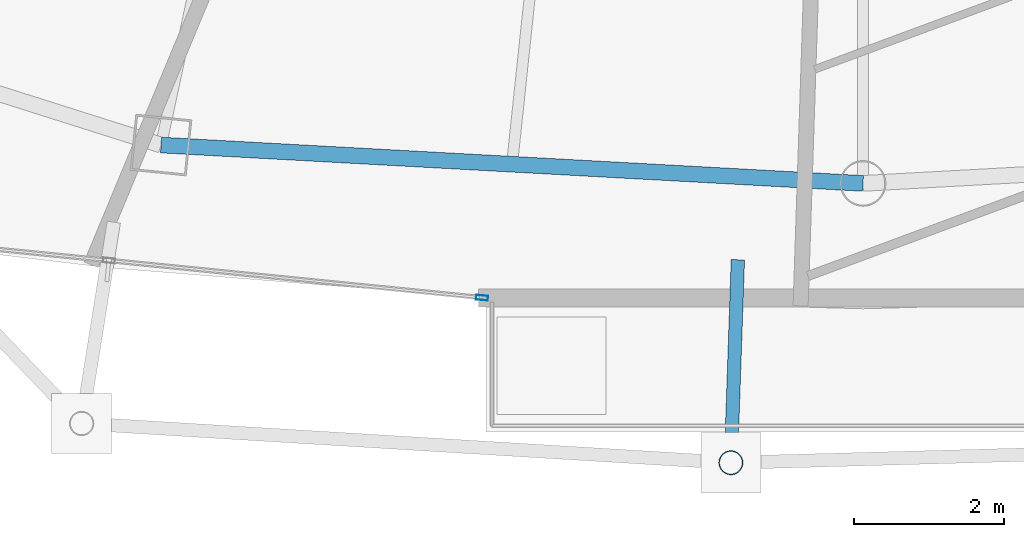
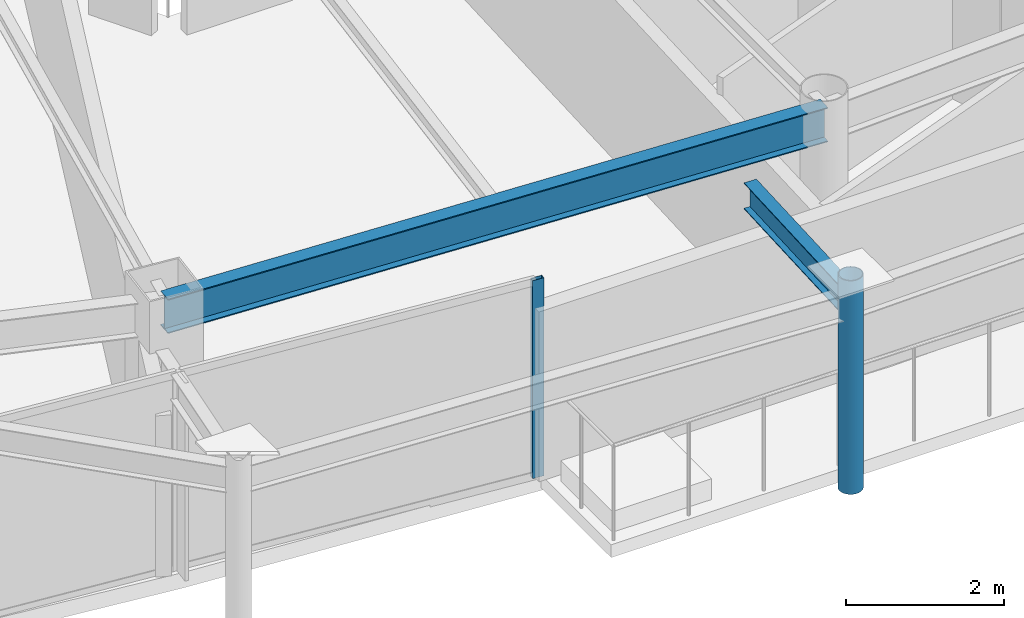
# One storey, part 7 of 29: 2 beams, 2 members, 1 element without a shape of its own.
"""IFC4 building model written with IfcOpenShell, lengths in metres."""

from ifc_helpers import new_model, si_unit, direction, frame, origin, origin_2d, place, context, subcontext, project, spatial, hollow_rectangle, hollow_circle, i_section, extrude, material, layer, layer_set, material_profile, profile_set, type_object, element, aggregate, save


model = new_model("IFC4")

# Units and contexts
model_context = context("Model", 3, precision=1e-05, world=origin(), true_north=direction((0.0, 1.0)))
body_context = subcontext(model_context, "Body", "Model", "MODEL_VIEW")
ifc_project = project(units=[si_unit("LENGTHUNIT", "METRE"), si_unit("AREAUNIT", "SQUARE_METRE"), si_unit("VOLUMEUNIT", "CUBIC_METRE"), si_unit("PLANEANGLEUNIT", "RADIAN"), si_unit("MASSUNIT", "GRAM", prefix="KILO")], contexts=[model_context])

# Site, building, storey
site_placement = place(None, origin())
site = spatial("IfcSite", under=ifc_project, at=site_placement, CompositionType="ELEMENT")
building_placement = place(site_placement, origin())
building = spatial("IfcBuilding", under=site, at=building_placement, Name="Orvanel Arch Residences", CompositionType="ELEMENT")
storey_placement = place(building_placement, frame((0.0, 0.0, 246.949951171875)))
storey = spatial("IfcBuildingStorey", under=building, at=storey_placement, Name="L70", CompositionType="ELEMENT", Elevation=246.949951171875)

# Curtain wall, member
ifc_material_1 = material(Name="Bronze-anodised aluminium AA6063-T6", Category="aluminium")
ifc_layer = layer(ifc_material_1, 0.175048828125)
ifc_layer_set = layer_set([ifc_layer], Name="Bronze-anodised aluminium AA6063-T6")
curtain_wall_type = type_object("IfcCurtainWallType", Name="CW4-HI-SYS", PredefinedType="NOTDEFINED", material=ifc_layer_set)
curtain_wall_placement = place(storey_placement, origin())
curtain_wall = element("IfcCurtainWall", 1, at=curtain_wall_placement, inside=storey, type_object=curtain_wall_type, Name="L70 CW4-HI-SYS Unitised Curtain Wall", PredefinedType="NOTDEFINED")
ifc_material_profile_1 = material_profile(ifc_material_1, hollow_rectangle(XDim=0.06494140625, YDim=0.159912109375, WallThickness=0.00390625, at=origin_2d()), Name="ALU160x65x4")
ifc_profile_set_1 = profile_set([ifc_material_profile_1], Name="Bronze-anodised aluminium AA6063-T6")
member_type_1 = type_object("IfcMemberType", Name="MUL-160x65", PredefinedType="MULLION", material=ifc_profile_set_1)
member_1_placement = place(storey_placement, frame((27.92578125, 5.3212890625, 0.0), z_axis=(0.0, 0.0, 1.0), x_axis=(0.099356011792, 0.99505194986, 0.0)))
member_1 = element("IfcMember", 2, at=member_1_placement, type_object=member_type_1, Name="CW-S4 mullion 3", PredefinedType="MULLION", context=body_context, shape_type="SweptSolid", body=[
    extrude(hollow_rectangle(XDim=0.06494140625, YDim=0.159912109375, WallThickness=0.00390625, at=origin_2d()), origin(), (0.0, 0.0, 1.0), 3.06005859375),
])
aggregate(curtain_wall, [member_1])

# Beams
ifc_material_2 = material(Name="Structural steel AS/NZS 3679.1 Grade 300 (300 MPa)", Category="steel")
ifc_material_profile_2 = material_profile(ifc_material_2, i_section(OverallWidth=0.177978515625, OverallDepth=0.406005859375, WebThickness=0.0078125, FlangeThickness=0.0126953125, at=origin_2d()), Name="410UB59.7")
ifc_profile_set_2 = profile_set([ifc_material_profile_2], Name="Structural steel AS/NZS 3679.1 Grade 300 (300 MPa)")
beam_type_1 = type_object("IfcBeamType", Name="OB-410UB-EXT", PredefinedType="SPANDREL", material=ifc_profile_set_2)
beam_1_placement = place(storey_placement, frame((31.3330078125, 5.826904296875, 2.85693359375), z_axis=(-0.034381466923, -0.999408782597, 0.0), x_axis=(0.999408782597, -0.034381466923, 0.0)))
element("IfcBeam", 3, at=beam_1_placement, inside=storey, type_object=beam_type_1, Name="L70 Outer Frame Radial Tie Beam 06", PredefinedType="SPANDREL", context=body_context, shape_type="SweptSolid", body=[
    extrude(i_section(OverallWidth=0.177978515625, OverallDepth=0.406005859375, WebThickness=0.0078125, FlangeThickness=0.0126953125, at=origin_2d()), origin(), (0.0, 0.0, 1.0), 2.70556640625),
])
ifc_material_profile_3 = material_profile(ifc_material_2, i_section(OverallWidth=0.208984375, OverallDepth=0.532958984375, WebThickness=0.01025390625, FlangeThickness=0.015625, at=origin_2d()), Name="530UB92.4")
ifc_profile_set_3 = profile_set([ifc_material_profile_3], Name="Structural steel AS/NZS 3679.1 Grade 300 (300 MPa)")
beam_type_2 = type_object("IfcBeamType", Name="SP-530UB", PredefinedType="SPANDREL", material=ifc_profile_set_3)
beam_2_placement = place(storey_placement, frame((23.64892578125, 7.35498046875, 2.79296875), z_axis=(0.998510315598, -0.054563262768, 0.0), x_axis=(0.054563262768, 0.998510315598, 0.0)))
element("IfcBeam", 4, at=beam_2_placement, inside=storey, type_object=beam_type_2, Name="L70 Perimeter Spandrel Beam 03", PredefinedType="SPANDREL", context=body_context, shape_type="SweptSolid", body=[
    extrude(i_section(OverallWidth=0.208984375, OverallDepth=0.532958984375, WebThickness=0.01025390625, FlangeThickness=0.015625, at=origin_2d()), origin(), (0.0, 0.0, 1.0), 9.364990234375),
])

# Member
ifc_material_3 = material(Name="Structural steel AS/NZS 1163 C350L0 (Grade 350)", Category="steel")
ifc_material_profile_4 = material_profile(ifc_material_3, hollow_circle(Radius=0.162109375, WallThickness=0.0126953125, at=origin_2d()), Name="CHS324x12.7")
ifc_profile_set_4 = profile_set([ifc_material_profile_4], Name="Structural steel AS/NZS 1163 C350L0 (Grade 350)")
member_type_2 = type_object("IfcMemberType", Name="ST-324CHS-EXT", PredefinedType="STRUT", material=ifc_profile_set_4)
member_2_placement = place(storey_placement, frame((31.239990234375, 3.123046875, 0.0), z_axis=(0.0, 0.0, 1.0), x_axis=(1.0, 0.0, 0.0)))
element("IfcMember", 5, at=member_2_placement, inside=storey, type_object=member_type_2, Name="L70 Outer Perimeter Frame Post 06", PredefinedType="STRUT", context=body_context, shape_type="SweptSolid", body=[
    extrude(hollow_circle(Radius=0.162109375, WallThickness=0.0126953125, at=origin_2d()), origin(), (0.0, 0.0, 1.0), 3.300048828125),
])

save(model, "model.ifc")
